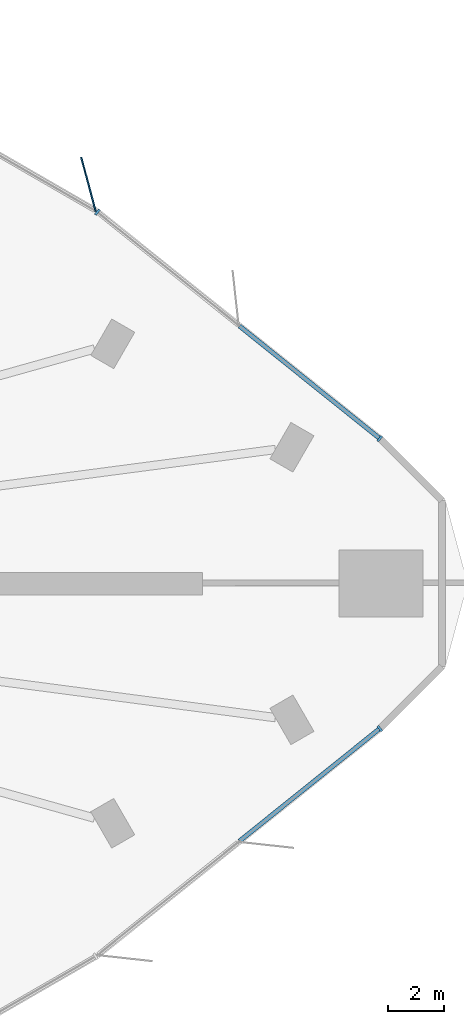
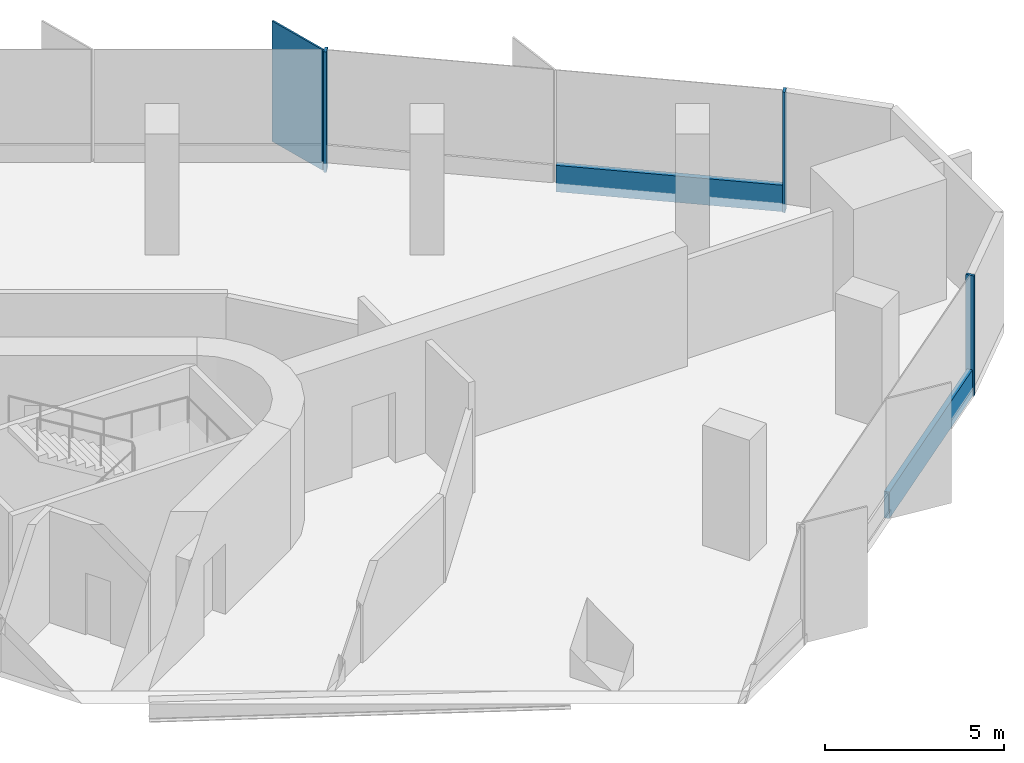
# One storey, part 6 of 15: 6 members, 3 elements without a shape of their own.
"""IFC4 building model written with IfcOpenShell, lengths in metres."""

from ifc_helpers import new_model, si_unit, direction, frame, origin, origin_2d, place, context, subcontext, project, spatial, rectangle, extrude, material, material_profile, profile_set, type_object, element, aggregate, save


model = new_model("IFC4")

# Units and contexts
model_context = context("Model", 3, precision=1e-05, world=origin(), true_north=direction((0.0, 1.0)))
body_context = subcontext(model_context, "Body", "Model", "MODEL_VIEW")
ifc_project = project(units=[si_unit("LENGTHUNIT", "METRE"), si_unit("AREAUNIT", "SQUARE_METRE"), si_unit("VOLUMEUNIT", "CUBIC_METRE"), si_unit("PLANEANGLEUNIT", "RADIAN"), si_unit("MASSUNIT", "GRAM", prefix="KILO")], contexts=[model_context])

# Site, building, storey
site_placement = place(None, origin())
site = spatial("IfcSite", under=ifc_project, at=site_placement, CompositionType="ELEMENT")
building_placement = place(site_placement, origin())
building = spatial("IfcBuilding", under=site, at=building_placement, Name="Tanit Gate Tower", CompositionType="ELEMENT")
storey_placement = place(building_placement, frame((0.0, 0.0, 139.800048828125)))
storey = spatial("IfcBuildingStorey", under=building, at=storey_placement, Name="L30", CompositionType="ELEMENT", Elevation=139.800048828125)

# Curtain wall, member
ifc_material_1 = material(Name="Aluminium bronze anodised and glass", Category="aluminium")
curtain_wall_type = type_object("IfcCurtainWallType", Name="Curtain wall typical low", PredefinedType="NOTDEFINED", material=ifc_material_1)
curtain_wall_1_placement = place(storey_placement, origin())
curtain_wall_1 = element("IfcCurtainWall", 1, at=curtain_wall_1_placement, inside=storey, type_object=curtain_wall_type, Name="Curtain wall L30 NE2", PredefinedType="NOTDEFINED")
ifc_material_2 = material(Name="Aluminium bronze anodised", Category="aluminium")
ifc_material_profile_1 = material_profile(ifc_material_2, rectangle(XDim=2.0, YDim=0.055908203125, at=origin_2d()), Name="56x2000 bronze fin mullion")
ifc_profile_set_1 = profile_set([ifc_material_profile_1], Name="Aluminium bronze anodised")
member_type_1 = type_object("IfcMemberType", Name="FIN MULLION 56x2000 bronze", PredefinedType="MULLION", material=ifc_profile_set_1)
member_1_placement = place(storey_placement, frame((29.681884765625, 14.259765625, -0.300048828125), z_axis=(0.0, 0.0, 1.0), x_axis=(0.25875206837, -0.965943770162, 0.0)))
member_1 = element("IfcMember", 2, at=member_1_placement, type_object=member_type_1, Name="Fin mullion L30 NE2.1", PredefinedType="MULLION", context=body_context, shape_type="SweptSolid", body=[
    extrude(rectangle(XDim=2.0, YDim=0.055908203125, at=origin_2d()), origin(), (0.0, 0.0, 1.0), 4.10009765625),
])
aggregate(curtain_wall_1, [member_1])

# Curtain wall, members
curtain_wall_2_placement = place(storey_placement, origin())
curtain_wall_2 = element("IfcCurtainWall", 3, at=curtain_wall_2_placement, inside=storey, type_object=curtain_wall_type, Name="Curtain wall L30 NE1", PredefinedType="NOTDEFINED")
ifc_material_3 = material(Name="Aluminium bronze anodised", Category="aluminium")
ifc_material_profile_2 = material_profile(ifc_material_3, rectangle(XDim=0.239990234375, YDim=0.080078125, at=origin_2d()), Name="80x240 bronze mullion")
ifc_profile_set_2 = profile_set([ifc_material_profile_2], Name="Aluminium bronze anodised")
member_type_2 = type_object("IfcMemberType", Name="Mullion 80x240 typical low", PredefinedType="MULLION", material=ifc_profile_set_2)
member_2_placement = place(storey_placement, frame((40.0888671875, 5.17919921875, -0.300048828125), z_axis=(0.0, 0.0, 1.0), x_axis=(-0.625673630163, -0.780084936734, 0.0)))
member_2 = element("IfcMember", 4, at=member_2_placement, type_object=member_type_2, Name="Mullion L30 NE1.1", PredefinedType="MULLION", context=body_context, shape_type="SweptSolid", body=[
    extrude(rectangle(XDim=0.239990234375, YDim=0.080078125, at=origin_2d()), origin(), (0.0, 0.0, 1.0), 4.10009765625),
])
member_3_placement = place(storey_placement, frame((30.000732421875, 13.2705078125, -0.300048828125), z_axis=(0.0, 0.0, 1.0), x_axis=(-0.625673630163, -0.780084936734, 0.0)))
member_3 = element("IfcMember", 5, at=member_3_placement, type_object=member_type_2, Name="Mullion L30 NE1.3", PredefinedType="MULLION", context=body_context, shape_type="SweptSolid", body=[
    extrude(rectangle(XDim=0.239990234375, YDim=0.080078125, at=origin_2d()), origin(), (0.0, 0.0, 1.0), 4.10009765625),
])

# Curtain wall, member
curtain_wall_3_placement = place(storey_placement, origin())
curtain_wall_3 = element("IfcCurtainWall", 6, at=curtain_wall_3_placement, inside=storey, type_object=curtain_wall_type, Name="Curtain wall L30 SE3", PredefinedType="NOTDEFINED")
member_4_placement = place(storey_placement, frame((40.0888671875, -5.17919921875, -0.300048828125), z_axis=(0.0, 0.0, 1.0), x_axis=(-0.625832143104, 0.779957773638, 0.0)))
member_4 = element("IfcMember", 7, at=member_4_placement, type_object=member_type_2, Name="Mullion L30 SE3.3", PredefinedType="MULLION", context=body_context, shape_type="SweptSolid", body=[
    extrude(rectangle(XDim=0.239990234375, YDim=0.080078125, at=origin_2d()), origin(), (0.0, 0.0, 1.0), 4.10009765625),
])

# Member
ifc_material_4 = material(Name="Aluminium bronze anodised", Category="aluminium")
ifc_material_profile_3 = material_profile(ifc_material_4, rectangle(XDim=0.159912109375, YDim=0.89990234375, at=origin_2d()), Name="160x900 bronze transom")
ifc_profile_set_3 = profile_set([ifc_material_profile_3], Name="Aluminium bronze anodised")
member_type_3 = type_object("IfcMemberType", Name="Transom 160x900 typical low", PredefinedType="USERDEFINED", material=ifc_profile_set_3)
member_5_placement = place(storey_placement, frame((40.057861328125, 5.2041015625, 0.14990234375), z_axis=(-0.780081251813, 0.625678224465, 0.0), x_axis=(-0.625678224465, -0.780081251813, 0.0)))
member_5 = element("IfcMember", 8, at=member_5_placement, type_object=member_type_3, Name="Transom L30 NE1.1", ObjectType="TRANSOM", PredefinedType="USERDEFINED", context=body_context, shape_type="SweptSolid", body=[
    extrude(rectangle(XDim=0.159912109375, YDim=0.89990234375, at=origin_2d()), origin(), (0.0, 0.0, 1.0), 6.386474609375),
])

aggregate(curtain_wall_2, [member_2, member_3, member_5])

member_6_placement = place(storey_placement, frame((35.07666015625, -9.200927734375, 0.14990234375), z_axis=(0.779961709235, 0.625827238244, 0.0), x_axis=(-0.625827238244, 0.779961709235, 0.0)))
member_6 = element("IfcMember", 9, at=member_6_placement, type_object=member_type_3, Name="Transom L30 SE3.2", ObjectType="TRANSOM", PredefinedType="USERDEFINED", context=body_context, shape_type="SweptSolid", body=[
    extrude(rectangle(XDim=0.159912109375, YDim=0.89990234375, at=origin_2d()), origin(), (0.0, 0.0, 1.0), 6.386474609375),
])

aggregate(curtain_wall_3, [member_4, member_6])

save(model, "model.ifc")
